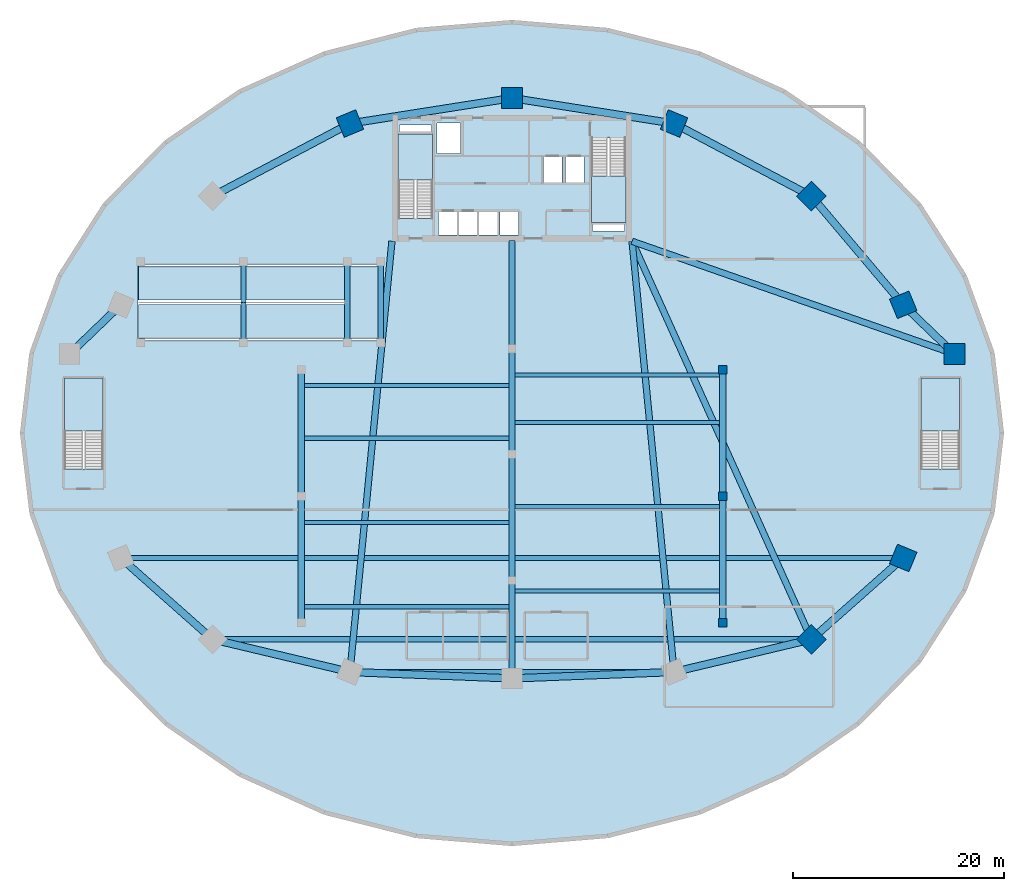
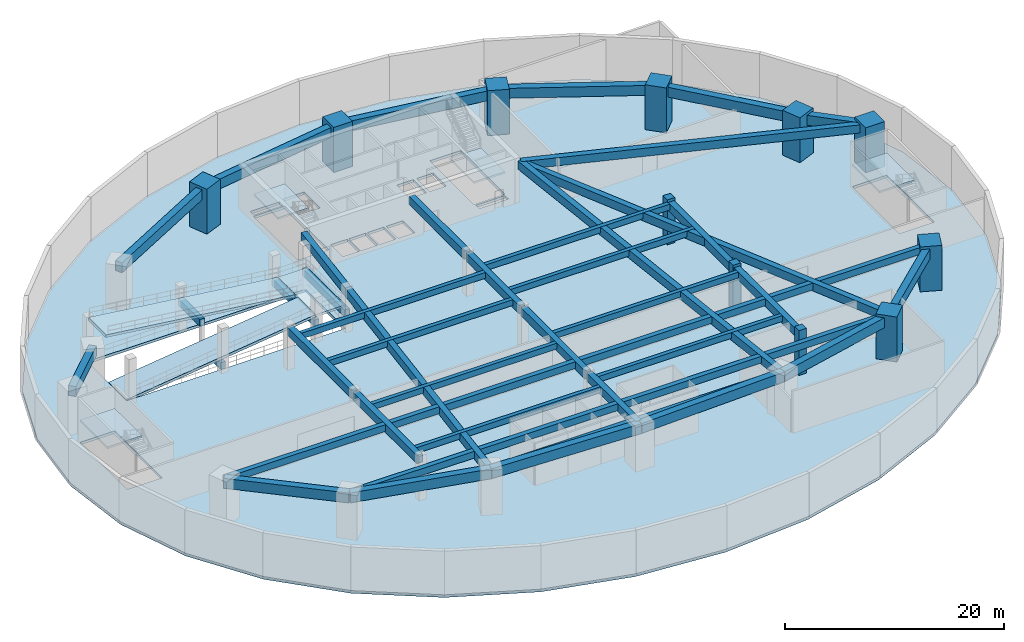
# One storey, part 3 of 10: 40 beams, 11 columns, 8 slabs, 4 elements without a shape of their own.
"""IFC4 building model written with IfcOpenShell, lengths in metres."""

from ifc_helpers import new_model, si_unit, direction, frame, origin, origin_2d, place, context, subcontext, project, spatial, polyline, rectangle, outline, extrude, source, transform, mapped, material, layer, layer_set, material_profile, profile_set, type_object, type_shapes, element, aggregate, save


model = new_model("IFC4")

# Units and contexts
model_context = context("Model", 3, precision=1e-05, world=origin(), true_north=direction((0.0, 1.0)))
body_context = subcontext(model_context, "Body", "Model", "MODEL_VIEW")
ifc_project = project(units=[si_unit("LENGTHUNIT", "METRE"), si_unit("AREAUNIT", "SQUARE_METRE"), si_unit("VOLUMEUNIT", "CUBIC_METRE"), si_unit("PLANEANGLEUNIT", "RADIAN"), si_unit("MASSUNIT", "GRAM", prefix="KILO")], contexts=[model_context])

# Site, building, storey
site_placement = place(None, origin())
site = spatial("IfcSite", under=ifc_project, at=site_placement, CompositionType="ELEMENT")
building_placement = place(site_placement, origin())
building = spatial("IfcBuilding", under=site, at=building_placement, Name="Breltana Convention Tower", CompositionType="ELEMENT")
storey_placement = place(building_placement, frame((0.0, 0.0, -5.0)))
storey = spatial("IfcBuildingStorey", under=building, at=storey_placement, Name="B01", CompositionType="ELEMENT", Elevation=-5.0)

# Columns
ifc_material_1 = material(Name="Concrete C60/75", Category="concrete")
ifc_material_profile_1 = material_profile(ifc_material_1, rectangle(XDim=2.0, YDim=2.0, at=origin_2d()), Name="RC-COL-2000X2000")
ifc_profile_set_1 = profile_set([ifc_material_profile_1], Name="Concrete C60/75")
column_type_1 = type_object("IfcColumnType", Name="COL-MC-2000", PredefinedType="COLUMN", material=ifc_profile_set_1)
shared_shape_1 = source(origin(), body_context, "Body", "SweptSolid", [
    extrude(rectangle(XDim=2.0, YDim=2.0, at=origin_2d()), origin(), (0.0, 0.0, 1.0), 5.0),
])
type_shapes(column_type_1, [shared_shape_1])
for number, where, z_axis, x_axis, name in (
    (1, (90.0, 49.5, 0.0), (0.0, 0.0, 1.0), (1.0, 0.0, 0.0), "B01 Podium Mega-Column MC-01"),
    (2, (85.139892578125, 54.169189453125, 0.0), (0.0, 0.0, 1.0), (0.923879532511, 0.382683432365, 0.0), "B01 Podium Mega-Column MC-02"),
    (3, (76.42578125, 64.486083984375, 0.0), (0.0, 0.0, 1.0), (0.707106781187, 0.707106781187, 0.0), "B01 Podium Mega-Column MC-03"),
    (4, (63.3837890625, 71.37939453125, 0.0), (0.0, 0.0, 1.0), (0.382683432365, 0.923879532511, 0.0), "B01 Podium Mega-Column MC-04"),
    (5, (48.0, 73.800048828125, 0.0), (0.0, 0.0, 1.0), (0.0, 1.0, 0.0), "B01 Podium Mega-Column MC-05"),
    (6, (32.6162109375, 71.37939453125, 0.0), (0.0, 0.0, 1.0), (-0.382683432365, 0.923879532511, 0.0), "B01 Podium Mega-Column MC-06"),
    (7, (76.42578125, 22.412109375, 0.0), (0.0, 0.0, 1.0), (0.707106781187, -0.707106781187, 0.0), "B01 Podium Mega-Column MC-15"),
    (8, (85.139892578125, 30.136962890625, 0.0), (0.0, 0.0, 1.0), (0.923879532511, -0.382683432365, 0.0), "B01 Podium Mega-Column MC-16"),
):
    element("IfcColumn", number, at=place(storey_placement, frame(where, z_axis=z_axis, x_axis=x_axis)), inside=storey, type_object=column_type_1, Name=name, PredefinedType="COLUMN", context=body_context, shape_type="MappedRepresentation", body=[
        mapped(shared_shape_1, transform((0.0, 0.0, 0.0), scale=1.0)),
    ])
ifc_material_2 = material(Name="Concrete C50/60", Category="concrete")
ifc_material_profile_2 = material_profile(ifc_material_2, rectangle(XDim=0.800048828125, YDim=0.800048828125, at=origin_2d()), Name="RC-COL-800X800")
ifc_profile_set_2 = profile_set([ifc_material_profile_2], Name="Concrete C50/60")
column_type_2 = type_object("IfcColumnType", Name="COL-RC-800", PredefinedType="COLUMN", material=ifc_profile_set_2)
shared_shape_2 = source(origin(), body_context, "Body", "SweptSolid", [
    extrude(rectangle(XDim=0.800048828125, YDim=0.800048828125, at=origin_2d()), origin(), (0.0, 0.0, 1.0), 5.0),
])
type_shapes(column_type_2, [shared_shape_2])
for number, where, z_axis, x_axis, name in (
    (9, (68.0, 24.0, 0.0), (0.0, 0.0, 1.0), (1.0, 0.0, 0.0), "B01 Basement Parking Grid Column BG-E1"),
    (10, (68.0, 36.0, 0.0), (0.0, 0.0, 1.0), (1.0, 0.0, 0.0), "B01 Basement Parking Grid Column BG-E2"),
    (11, (68.0, 48.0, 0.0), (0.0, 0.0, 1.0), (1.0, 0.0, 0.0), "B01 Basement Parking Grid Column BG-E3"),
):
    element("IfcColumn", number, at=place(storey_placement, frame(where, z_axis=z_axis, x_axis=x_axis)), inside=storey, type_object=column_type_2, Name=name, PredefinedType="COLUMN", context=body_context, shape_type="MappedRepresentation", body=[
        mapped(shared_shape_2, transform((0.0, 0.0, 0.0), scale=1.0)),
    ])

# Beams
ifc_material_3 = material(Name="Concrete C40/50", Category="concrete")
ifc_material_profile_3 = material_profile(ifc_material_3, rectangle(XDim=0.699951171875, YDim=1.10009765625, at=origin_2d()), Name="RC-BM-700X1100")
ifc_profile_set_3 = profile_set([ifc_material_profile_3], Name="Concrete C40/50")
beam_type_1 = type_object("IfcBeamType", Name="BM-RC-700X1100", PredefinedType="USERDEFINED", material=ifc_profile_set_3)
shared_shape_3 = source(origin(), body_context, "Body", "SweptSolid", [
    extrude(rectangle(XDim=0.699951171875, YDim=1.10009765625, at=origin_2d()), origin(), (0.0, 0.0, 1.0), 6.739501953125),
])
type_shapes(beam_type_1, [shared_shape_3])
for number, where, z_axis, x_axis, name in (
    (12, (90.0, 49.5, 4.14990234375), (-0.721128840463, 0.692800978242, 0.0), (-0.692800978242, -0.721128840463, 0.0), "B01 Podium Ring Girder 01"),
    (13, (10.860107421875, 54.169189453125, 4.14990234375), (-0.721128840463, -0.692800978242, 0.0), (0.692800978242, -0.721128840463, 0.0), "B01 Podium Ring Girder 08"),
):
    element("IfcBeam", number, at=place(storey_placement, frame(where, z_axis=z_axis, x_axis=x_axis)), inside=storey, type_object=beam_type_1, Name=name, ObjectType="GIRDER", PredefinedType="USERDEFINED", context=body_context, shape_type="MappedRepresentation", body=[
        mapped(shared_shape_3, transform((0.0, 0.0, 0.0), scale=1.0)),
    ])
shared_shape_4 = source(origin(), body_context, "Body", "SweptSolid", [
    extrude(rectangle(XDim=0.699951171875, YDim=1.10009765625, at=origin_2d()), origin(), (0.0, 0.0, 1.0), 13.504638671875),
])
beam_1_placement = place(storey_placement, frame((85.139892578125, 54.169189453125, 4.14990234375), z_axis=(-0.645270162831, 0.763954460004, 0.0), x_axis=(-0.763954460004, -0.645270162831, 0.0)))
element("IfcBeam", 14, at=beam_1_placement, inside=storey, type_object=beam_type_1, Name="B01 Podium Ring Girder 02", ObjectType="GIRDER", PredefinedType="USERDEFINED", context=body_context, shape_type="MappedRepresentation", body=[
    mapped(shared_shape_4, transform((0.0, 0.0, 0.0), scale=1.0)),
])
shared_shape_5 = source(origin(), body_context, "Body", "SweptSolid", [
    extrude(rectangle(XDim=0.699951171875, YDim=1.10009765625, at=origin_2d()), origin(), (0.0, 0.0, 1.0), 14.751708984375),
])
for number, where, z_axis, x_axis, name in (
    (15, (76.42578125, 64.486083984375, 4.14990234375), (-0.884103731281, 0.467290693611, 0.0), (-0.467290693611, -0.884103731281, 0.0), "B01 Podium Ring Girder 03"),
    (16, (32.6162109375, 71.37939453125, 4.14990234375), (-0.884103731281, -0.467290693611, 0.0), (0.467290693611, -0.884103731281, 0.0), "B01 Podium Ring Girder 06"),
):
    element("IfcBeam", number, at=place(storey_placement, frame(where, z_axis=z_axis, x_axis=x_axis)), inside=storey, type_object=beam_type_1, Name=name, ObjectType="GIRDER", PredefinedType="USERDEFINED", context=body_context, shape_type="MappedRepresentation", body=[
        mapped(shared_shape_5, transform((0.0, 0.0, 0.0), scale=1.0)),
    ])
shared_shape_6 = source(origin(), body_context, "Body", "SweptSolid", [
    extrude(rectangle(XDim=0.699951171875, YDim=1.10009765625, at=origin_2d()), origin(), (0.0, 0.0, 1.0), 15.572998046875),
])
for number, where, z_axis, x_axis, name in (
    (17, (63.3837890625, 71.37939453125, 4.14990234375), (-0.987845575975, 0.155438470225, 0.0), (-0.155438470225, -0.987845575975, 0.0), "B01 Podium Ring Girder 04"),
    (18, (48.0, 73.800048828125, 4.14990234375), (-0.987845575975, -0.155438470225, 0.0), (0.155438470225, -0.987845575975, 0.0), "B01 Podium Ring Girder 05"),
):
    element("IfcBeam", number, at=place(storey_placement, frame(where, z_axis=z_axis, x_axis=x_axis)), inside=storey, type_object=beam_type_1, Name=name, ObjectType="GIRDER", PredefinedType="USERDEFINED", context=body_context, shape_type="MappedRepresentation", body=[
        mapped(shared_shape_6, transform((0.0, 0.0, 0.0), scale=1.0)),
    ])
shared_shape_7 = source(origin(), body_context, "Body", "SweptSolid", [
    extrude(rectangle(XDim=0.699951171875, YDim=1.10009765625, at=origin_2d()), origin(), (0.0, 0.0, 1.0), 11.64501953125),
])
for number, where, z_axis, x_axis, name in (
    (19, (10.860107421875, 30.136962890625, 4.14990234375), (0.748305074373, -0.663354743458, 0.0), (0.663354743458, 0.748305074373, 0.0), "B01 Podium Ring Girder 10"),
    (20, (76.42578125, 22.412109375, 4.14990234375), (0.748305074373, 0.663354743458, 0.0), (-0.663354743458, 0.748305074373, 0.0), "B01 Podium Ring Girder 15"),
):
    element("IfcBeam", number, at=place(storey_placement, frame(where, z_axis=z_axis, x_axis=x_axis)), inside=storey, type_object=beam_type_1, Name=name, ObjectType="GIRDER", PredefinedType="USERDEFINED", context=body_context, shape_type="MappedRepresentation", body=[
        mapped(shared_shape_7, transform((0.0, 0.0, 0.0), scale=1.0)),
    ])
shared_shape_8 = source(origin(), body_context, "Body", "SweptSolid", [
    extrude(rectangle(XDim=0.699951171875, YDim=1.10009765625, at=origin_2d()), origin(), (0.0, 0.0, 1.0), 13.4052734375),
])
for number, where, z_axis, x_axis, name in (
    (21, (19.57421875, 22.412109375, 4.14990234375), (0.972900712446, -0.231223276773, 0.0), (0.231223276773, 0.972900712446, 0.0), "B01 Podium Ring Girder 11"),
    (22, (63.3837890625, 19.3125, 4.14990234375), (0.972900712446, 0.231223276773, 0.0), (-0.231223276773, 0.972900712446, 0.0), "B01 Podium Ring Girder 14"),
):
    element("IfcBeam", number, at=place(storey_placement, frame(where, z_axis=z_axis, x_axis=x_axis)), inside=storey, type_object=beam_type_1, Name=name, ObjectType="GIRDER", PredefinedType="USERDEFINED", context=body_context, shape_type="MappedRepresentation", body=[
        mapped(shared_shape_8, transform((0.0, 0.0, 0.0), scale=1.0)),
    ])
shared_shape_9 = source(origin(), body_context, "Body", "SweptSolid", [
    extrude(rectangle(XDim=0.699951171875, YDim=1.10009765625, at=origin_2d()), origin(), (0.0, 0.0, 1.0), 15.39599609375),
])
for number, where, z_axis, x_axis, name in (
    (23, (32.6162109375, 19.3125, 4.14990234375), (0.99920821229, -0.039786285226, 0.0), (0.039786285226, 0.99920821229, 0.0), "B01 Podium Ring Girder 12"),
    (24, (48.0, 18.699951171875, 4.14990234375), (0.99920821229, 0.039786285226, 0.0), (-0.039786285226, 0.99920821229, 0.0), "B01 Podium Ring Girder 13"),
):
    element("IfcBeam", number, at=place(storey_placement, frame(where, z_axis=z_axis, x_axis=x_axis)), inside=storey, type_object=beam_type_1, Name=name, ObjectType="GIRDER", PredefinedType="USERDEFINED", context=body_context, shape_type="MappedRepresentation", body=[
        mapped(shared_shape_9, transform((0.0, 0.0, 0.0), scale=1.0)),
    ])
ifc_material_profile_4 = material_profile(ifc_material_3, rectangle(XDim=0.60009765625, YDim=0.89990234375, at=origin_2d()), Name="RC-BM-600X900")
ifc_profile_set_4 = profile_set([ifc_material_profile_4], Name="Concrete C40/50")
beam_type_2 = type_object("IfcBeamType", Name="BM-RC-600X900", PredefinedType="USERDEFINED", material=ifc_profile_set_4)
shared_shape_10 = source(origin(), body_context, "Body", "SweptSolid", [
    extrude(rectangle(XDim=0.60009765625, YDim=0.89990234375, at=origin_2d()), origin(), (0.0, 0.0, 1.0), 32.4169921875),
])
type_shapes(beam_type_2, [shared_shape_10])
beam_2_placement = place(storey_placement, frame((90.0, 49.5, 4.25), z_axis=(-0.943955299763, 0.330073313143, 0.0), x_axis=(-0.330073313143, -0.943955299763, 0.0)))
element("IfcBeam", 25, at=beam_2_placement, inside=storey, type_object=beam_type_2, Name="B01 Long-Span Convention Girder 01", ObjectType="GIRDER", PredefinedType="USERDEFINED", context=body_context, shape_type="MappedRepresentation", body=[
    mapped(shared_shape_10, transform((0.0, 0.0, 0.0), scale=1.0)),
])
shared_shape_11 = source(origin(), body_context, "Body", "SweptSolid", [
    extrude(rectangle(XDim=0.60009765625, YDim=0.89990234375, at=origin_2d()), origin(), (0.0, 0.0, 1.0), 41.0810546875),
])
for number, where, z_axis, x_axis, name in (
    (26, (32.6162109375, 19.3125, 4.25), (0.096976195785, 0.995286701132, 0.0), (-0.995286701132, 0.096976195785, 0.0), "B01 Long-Span Convention Girder 12"),
    (27, (63.3837890625, 19.3125, 4.25), (-0.096976195785, 0.995286701132, 0.0), (-0.995286701132, -0.096976195785, 0.0), "B01 Long-Span Convention Girder 14"),
):
    element("IfcBeam", number, at=place(storey_placement, frame(where, z_axis=z_axis, x_axis=x_axis)), inside=storey, type_object=beam_type_2, Name=name, ObjectType="GIRDER", PredefinedType="USERDEFINED", context=body_context, shape_type="MappedRepresentation", body=[
        mapped(shared_shape_11, transform((0.0, 0.0, 0.0), scale=1.0)),
    ])
shared_shape_12 = source(origin(), body_context, "Body", "SweptSolid", [
    extrude(rectangle(XDim=0.60009765625, YDim=0.89990234375, at=origin_2d()), origin(), (0.0, 0.0, 1.0), 41.4462890625),
])
beam_3_placement = place(storey_placement, frame((76.42578125, 22.412109375, 4.25), z_axis=(-0.410793011164, 0.911728633958, 0.0), x_axis=(-0.911728633958, -0.410793011164, 0.0)))
element("IfcBeam", 28, at=beam_3_placement, inside=storey, type_object=beam_type_2, Name="B01 Long-Span Convention Girder 15", ObjectType="GIRDER", PredefinedType="USERDEFINED", context=body_context, shape_type="MappedRepresentation", body=[
    mapped(shared_shape_12, transform((0.0, 0.0, 0.0), scale=1.0)),
])
ifc_material_profile_5 = material_profile(ifc_material_3, rectangle(XDim=0.5, YDim=0.75, at=origin_2d()), Name="RC-BM-500X750")
ifc_profile_set_5 = profile_set([ifc_material_profile_5], Name="Concrete C40/50")
beam_type_3 = type_object("IfcBeamType", Name="BM-RC-500X750", PredefinedType="BEAM", material=ifc_profile_set_5)
shared_shape_13 = source(origin(), body_context, "Body", "SweptSolid", [
    extrude(rectangle(XDim=0.5, YDim=0.75, at=origin_2d()), origin(), (0.0, 0.0, 1.0), 74.27978515625),
])
type_shapes(beam_type_3, [shared_shape_13])
beam_4_placement = place(storey_placement, frame((10.860107421875, 30.136962890625, 4.324951171875), z_axis=(1.0, 0.0, 0.0), x_axis=(0.0, 1.0, 0.0)))
element("IfcBeam", 29, at=beam_4_placement, inside=storey, type_object=beam_type_3, Name="B01 Long-Span Hall Secondary Beam 01", PredefinedType="BEAM", context=body_context, shape_type="MappedRepresentation", body=[
    mapped(shared_shape_13, transform((0.0, 0.0, 0.0), scale=1.0)),
])
shared_shape_14 = source(origin(), body_context, "Body", "SweptSolid", [
    extrude(rectangle(XDim=0.5, YDim=0.75, at=origin_2d()), origin(), (0.0, 0.0, 1.0), 56.8515625),
])
beam_5_placement = place(storey_placement, frame((19.57421875, 22.412109375, 4.324951171875), z_axis=(1.0, 0.0, 0.0), x_axis=(0.0, 1.0, 0.0)))
element("IfcBeam", 30, at=beam_5_placement, inside=storey, type_object=beam_type_3, Name="B01 Long-Span Hall Secondary Beam 02", PredefinedType="BEAM", context=body_context, shape_type="MappedRepresentation", body=[
    mapped(shared_shape_14, transform((0.0, 0.0, 0.0), scale=1.0)),
])
shared_shape_15 = source(origin(), body_context, "Body", "SweptSolid", [
    extrude(rectangle(XDim=0.5, YDim=0.75, at=origin_2d()), origin(), (0.0, 0.0, 1.0), 30.767578125),
])
beam_6_placement = place(storey_placement, frame((32.6162109375, 19.3125, 4.324951171875), z_axis=(1.0, 0.0, 0.0), x_axis=(0.0, 1.0, 0.0)))
element("IfcBeam", 31, at=beam_6_placement, inside=storey, type_object=beam_type_3, Name="B01 Long-Span Hall Secondary Beam 03", PredefinedType="BEAM", context=body_context, shape_type="MappedRepresentation", body=[
    mapped(shared_shape_15, transform((0.0, 0.0, 0.0), scale=1.0)),
])
shared_shape_16 = source(origin(), body_context, "Body", "SweptSolid", [
    extrude(rectangle(XDim=0.60009765625, YDim=0.89990234375, at=origin_2d()), origin(), (0.0, 0.0, 1.0), 11.60009765625),
])
for number, where, z_axis, x_axis, name in (
    (32, (28.0, 24.199951171875, 4.25), (0.0, 1.0, 0.0), (-1.0, 0.0, 0.0), "B01 Basement N-S Collector Girder W1"),
    (33, (28.0, 36.199951171875, 4.25), (0.0, 1.0, 0.0), (-1.0, 0.0, 0.0), "B01 Basement N-S Collector Girder W2"),
    (34, (48.0, 28.199951171875, 4.25), (0.0, 1.0, 0.0), (-1.0, 0.0, 0.0), "B01 Basement N-S Collector Girder C2"),
    (35, (68.0, 24.199951171875, 4.25), (0.0, 1.0, 0.0), (-1.0, 0.0, 0.0), "B01 Basement N-S Collector Girder E1"),
    (36, (68.0, 36.199951171875, 4.25), (0.0, 1.0, 0.0), (-1.0, 0.0, 0.0), "B01 Basement N-S Collector Girder E2"),
):
    element("IfcBeam", number, at=place(storey_placement, frame(where, z_axis=z_axis, x_axis=x_axis)), inside=storey, type_object=beam_type_2, Name=name, ObjectType="GIRDER", PredefinedType="USERDEFINED", context=body_context, shape_type="MappedRepresentation", body=[
        mapped(shared_shape_16, transform((0.0, 0.0, 0.0), scale=1.0)),
    ])
shared_shape_17 = source(origin(), body_context, "Body", "SweptSolid", [
    extrude(rectangle(XDim=0.60009765625, YDim=0.89990234375, at=origin_2d()), origin(), (0.0, 0.0, 1.0), 8.900146484375),
])
beam_7_placement = place(storey_placement, frame((48.0, 18.89990234375, 4.25), z_axis=(0.0, 1.0, 0.0), x_axis=(-1.0, 0.0, 0.0)))
element("IfcBeam", 37, at=beam_7_placement, inside=storey, type_object=beam_type_2, Name="B01 Basement N-S Collector Girder C1", ObjectType="GIRDER", PredefinedType="USERDEFINED", context=body_context, shape_type="MappedRepresentation", body=[
    mapped(shared_shape_17, transform((0.0, 0.0, 0.0), scale=1.0)),
])
shared_shape_18 = source(origin(), body_context, "Body", "SweptSolid", [
    extrude(rectangle(XDim=0.60009765625, YDim=0.89990234375, at=origin_2d()), origin(), (0.0, 0.0, 1.0), 9.60009765625),
])
beam_8_placement = place(storey_placement, frame((48.0, 40.199951171875, 4.25), z_axis=(0.0, 1.0, 0.0), x_axis=(-1.0, 0.0, 0.0)))
element("IfcBeam", 38, at=beam_8_placement, inside=storey, type_object=beam_type_2, Name="B01 Basement N-S Collector Girder C3", ObjectType="GIRDER", PredefinedType="USERDEFINED", context=body_context, shape_type="MappedRepresentation", body=[
    mapped(shared_shape_18, transform((0.0, 0.0, 0.0), scale=1.0)),
])
shared_shape_19 = source(origin(), body_context, "Body", "SweptSolid", [
    extrude(rectangle(XDim=0.60009765625, YDim=0.89990234375, at=origin_2d()), origin(), (0.0, 0.0, 1.0), 10.074951171875),
])
beam_9_placement = place(storey_placement, frame((48.0, 50.199951171875, 4.25), z_axis=(0.0, 1.0, 0.0), x_axis=(-1.0, 0.0, 0.0)))
element("IfcBeam", 39, at=beam_9_placement, inside=storey, type_object=beam_type_2, Name="B01 Basement N-S Collector Girder C4", ObjectType="GIRDER", PredefinedType="USERDEFINED", context=body_context, shape_type="MappedRepresentation", body=[
    mapped(shared_shape_19, transform((0.0, 0.0, 0.0), scale=1.0)),
])
ifc_material_profile_6 = material_profile(ifc_material_3, rectangle(XDim=0.39990234375, YDim=0.64990234375, at=origin_2d()), Name="RC-BM-400X650")
ifc_profile_set_6 = profile_set([ifc_material_profile_6], Name="Concrete C40/50")
beam_type_4 = type_object("IfcBeamType", Name="BM-RC-400X650", PredefinedType="BEAM", material=ifc_profile_set_6)
shared_shape_20 = source(origin(), body_context, "Body", "SweptSolid", [
    extrude(rectangle(XDim=0.39990234375, YDim=0.64990234375, at=origin_2d()), origin(), (0.0, 0.0, 1.0), 19.56005859375),
])
type_shapes(beam_type_4, [shared_shape_20])
for number, where, z_axis, x_axis, name in (
    (40, (28.219970703125, 25.5, 4.375), (1.0, 0.0, 0.0), (0.0, 1.0, 0.0), "B01 BM-RC-400X650 BM-B01-HJW-255"),
    (41, (28.219970703125, 33.5, 4.375), (1.0, 0.0, 0.0), (0.0, 1.0, 0.0), "B01 BM-RC-400X650 BM-B01-HJW-335"),
    (42, (28.219970703125, 41.5, 4.375), (1.0, 0.0, 0.0), (0.0, 1.0, 0.0), "B01 BM-RC-400X650 BM-B01-HJW-415"),
    (43, (28.219970703125, 46.5, 4.375), (1.0, 0.0, 0.0), (0.0, 1.0, 0.0), "B01 BM-RC-400X650 BM-B01-HJW-465"),
    (44, (48.219970703125, 27.0, 4.375), (1.0, 0.0, 0.0), (0.0, 1.0, 0.0), "B01 BM-RC-400X650 BM-B01-HJE-270"),
    (45, (48.219970703125, 35.0, 4.375), (1.0, 0.0, 0.0), (0.0, 1.0, 0.0), "B01 BM-RC-400X650 BM-B01-HJE-350"),
    (46, (48.219970703125, 43.0, 4.375), (1.0, 0.0, 0.0), (0.0, 1.0, 0.0), "B01 BM-RC-400X650 BM-B01-HJE-430"),
    (47, (48.219970703125, 47.5, 4.375), (1.0, 0.0, 0.0), (0.0, 1.0, 0.0), "B01 BM-RC-400X650 BM-B01-HJE-475"),
):
    element("IfcBeam", number, at=place(storey_placement, frame(where, z_axis=z_axis, x_axis=x_axis)), inside=storey, type_object=beam_type_4, Name=name, PredefinedType="BEAM", context=body_context, shape_type="MappedRepresentation", body=[
        mapped(shared_shape_20, transform((0.0, 0.0, 0.0), scale=1.0)),
    ])
shared_shape_21 = source(origin(), body_context, "Body", "SweptSolid", [
    extrude(rectangle(XDim=0.5, YDim=0.75, at=origin_2d()), origin(), (0.0, 0.0, 1.0), 7.699951171875),
])
for number, where, z_axis, x_axis, name in (
    (48, (32.35009765625, 50.550048828125, 1.864990234375), (0.0, 1.0, 0.0), (-1.0, 0.0, 0.0), "B01 BM-RC-500X750 BM-RMP-B01-THROAT"),
    (49, (35.550048828125, 50.550048828125, 1.864990234375), (0.0, 1.0, 0.0), (-1.0, 0.0, 0.0), "B01 BM-RC-500X750 BM-RMP-B01-EAST"),
):
    element("IfcBeam", number, at=place(storey_placement, frame(where, z_axis=z_axis, x_axis=x_axis)), inside=storey, type_object=beam_type_3, Name=name, PredefinedType="BEAM", context=body_context, shape_type="MappedRepresentation", body=[
        mapped(shared_shape_21, transform((0.0, 0.0, 0.0), scale=1.0)),
    ])
shared_shape_22 = source(origin(), body_context, "Body", "SweptSolid", [
    extrude(rectangle(XDim=0.5, YDim=0.75, at=origin_2d()), origin(), (0.0, 0.0, 1.0), 3.85009765625),
])
beam_10_placement = place(storey_placement, frame((22.5, 54.39990234375, 3.074951171875), z_axis=(0.0, 1.0, 0.0), x_axis=(-1.0, 0.0, 0.0)))
element("IfcBeam", 50, at=beam_10_placement, inside=storey, type_object=beam_type_3, Name="B01 BM-RC-500X750 BM-RMP-B01-MID-HI", PredefinedType="BEAM", context=body_context, shape_type="MappedRepresentation", body=[
    mapped(shared_shape_22, transform((0.0, 0.0, 0.0), scale=1.0)),
])
shared_shape_23 = source(origin(), body_context, "Body", "SweptSolid", [
    extrude(rectangle(XDim=0.5, YDim=0.75, at=origin_2d()), origin(), (0.0, 0.0, 1.0), 3.849853515625),
])
beam_11_placement = place(storey_placement, frame((22.5, 50.550048828125, 0.574951171875), z_axis=(0.0, 1.0, 0.0), x_axis=(-1.0, 0.0, 0.0)))
element("IfcBeam", 51, at=beam_11_placement, inside=storey, type_object=beam_type_3, Name="B01 BM-RC-500X750 BM-RMP-B01-MID-LO", PredefinedType="BEAM", context=body_context, shape_type="MappedRepresentation", body=[
    mapped(shared_shape_23, transform((0.0, 0.0, 0.0), scale=1.0)),
])

# Slabs
ifc_layer_1 = layer(ifc_material_3, 0.300048828125, Name="Concrete C40/50")
ifc_layer_set_1 = layer_set([ifc_layer_1], Name="Concrete C40/50")
slab_type_1 = type_object("IfcSlabType", Name="SL-POD-300", PredefinedType="FLOOR", material=ifc_layer_set_1)
slab_1_placement = place(storey_placement, frame((0.0, 0.0, -0.300048828125)))
element("IfcSlab", 52, at=slab_1_placement, inside=storey, type_object=slab_type_1, Name="B01 Suspended Structural Floor Slab", PredefinedType="FLOOR", context=body_context, shape_type="SweptSolid", body=[
    extrude(outline(polyline([(94.5, 42.0), (93.6064453125, 49.6083984375), (90.96044921875, 56.9248046875), (86.663330078125, 63.667236328125), (80.880615234375, 69.5771484375), (73.833984375, 74.42724609375), (65.794921875, 78.03125), (57.07177734375, 80.25048828125), (48.0, 81.0), (38.92822265625, 80.25048828125), (30.205078125, 78.03125), (22.166015625, 74.42724609375), (15.119384765625, 69.5771484375), (9.336669921875, 63.667236328125), (5.03955078125, 56.9248046875), (2.3935546875, 49.6083984375), (1.5, 42.0), (2.3935546875, 34.3916015625), (5.03955078125, 27.0751953125), (9.336669921875, 20.332763671875), (15.119384765625, 14.4228515625), (22.166015625, 9.57275390625), (30.205078125, 5.96875), (38.92822265625, 3.74951171875), (48.0, 3.0), (57.07177734375, 3.74951171875), (65.794921875, 5.96875), (73.833984375, 9.57275390625), (80.880615234375, 14.4228515625), (86.663330078125, 20.332763671875), (90.96044921875, 27.0751953125), (93.6064453125, 34.3916015625), (94.5, 42.0)]), holes=[polyline([(37.199951171875, 62.385009765625), (40.469970703125, 62.385009765625), (40.469970703125, 70.39990234375), (37.199951171875, 70.39990234375), (37.199951171875, 62.385009765625)]), polyline([(55.530029296875, 62.0), (58.800048828125, 62.0), (58.800048828125, 70.014892578125), (55.530029296875, 70.014892578125), (55.530029296875, 62.0)]), polyline([(5.5, 38.5849609375), (9.169921875, 38.5849609375), (9.169921875, 47.199951171875), (5.5, 47.199951171875), (5.5, 38.5849609375)]), polyline([(86.830078125, 38.5849609375), (90.5, 38.5849609375), (90.5, 47.199951171875), (86.830078125, 47.199951171875), (86.830078125, 38.5849609375)]), polyline([(41.0400390625, 60.800048828125), (42.800048828125, 60.800048828125), (42.800048828125, 62.97998046875), (41.0400390625, 62.97998046875), (41.0400390625, 60.800048828125)]), polyline([(42.93994140625, 60.800048828125), (44.699951171875, 60.800048828125), (44.699951171875, 62.97998046875), (42.93994140625, 62.97998046875), (42.93994140625, 60.800048828125)]), polyline([(44.8701171875, 60.800048828125), (46.6298828125, 60.800048828125), (46.6298828125, 62.97998046875), (44.8701171875, 62.97998046875), (44.8701171875, 60.800048828125)]), polyline([(46.8701171875, 60.800048828125), (48.6298828125, 60.800048828125), (48.6298828125, 62.97998046875), (46.8701171875, 62.97998046875), (46.8701171875, 60.800048828125)]), polyline([(50.969970703125, 65.800048828125), (52.72998046875, 65.800048828125), (52.72998046875, 68.179931640625), (50.969970703125, 68.179931640625), (50.969970703125, 65.800048828125)]), polyline([(53.070068359375, 65.800048828125), (54.830078125, 65.800048828125), (54.830078125, 68.179931640625), (53.070068359375, 68.179931640625), (53.070068359375, 65.800048828125)]), polyline([(40.8798828125, 68.550048828125), (43.1201171875, 68.550048828125), (43.1201171875, 71.449951171875), (40.8798828125, 71.449951171875), (40.8798828125, 68.550048828125)]), polyline([(37.300048828125, 70.60009765625), (40.3798828125, 70.60009765625), (40.3798828125, 71.219970703125), (37.300048828125, 71.219970703125), (37.300048828125, 70.60009765625)]), polyline([(55.6201171875, 61.179931640625), (58.699951171875, 61.179931640625), (58.699951171875, 61.800048828125), (55.6201171875, 61.800048828125), (55.6201171875, 61.179931640625)]), polyline([(12.5, 50.800048828125), (35.5, 50.800048828125), (35.5, 58.0), (12.5, 58.0), (12.5, 50.800048828125)])]), origin(), (0.0, 0.0, 1.0), 0.300048828125),
])
ifc_layer_2 = layer(ifc_material_3, 0.300048828125, Name="Concrete C40/50")
ifc_layer_set_2 = layer_set([ifc_layer_2], Name="Concrete C40/50")
slab_type_2 = type_object("IfcSlabType", Name="SL-RAMP-FLIGHT-300", PredefinedType="USERDEFINED", material=ifc_layer_set_2)
slab_2_placement = place(storey_placement, frame((12.530029296875, 54.6201171875, 5.0), z_axis=(0.124402550918, 0.0, 0.992231830433), x_axis=(0.992231830433, 0.0, -0.124402550918)))
element("IfcSlab", 53, at=slab_2_placement, inside=storey, type_object=slab_type_2, Name="B01 Vehicular Ramp Upper Structural Slab RF-1A", ObjectType="RAMP", PredefinedType="USERDEFINED", context=body_context, shape_type="SweptSolid", body=[
    extrude(outline(polyline([(0.0, 0.0), (20.096050937551965, 0.0), (20.096050937551965, 3.22998046875), (0.0, 3.22998046875), (0.0, 0.0)])), origin(), (0.0, 0.0, -1.0), 0.300048828125),
])
slab_3_placement = place(storey_placement, frame((32.469970703125, 50.949951171875, 2.5), z_axis=(-0.124402550918, 0.0, 0.992231830433), x_axis=(-0.992231830433, 0.0, -0.124402550918)))
element("IfcSlab", 54, at=slab_3_placement, inside=storey, type_object=slab_type_2, Name="B01 Vehicular Ramp Lower Structural Slab RF-1B", ObjectType="RAMP", PredefinedType="USERDEFINED", context=body_context, shape_type="SweptSolid", body=[
    extrude(outline(polyline([(0.0, 0.0), (20.096050937551965, 0.0), (20.096050937551965, -3.22998046875), (0.0, -3.22998046875), (0.0, 0.0)])), origin(), (0.0, 0.0, -1.0), 0.300048828125),
])
ifc_layer_3 = layer(ifc_material_3, 0.260009765625, Name="Concrete C40/50")
ifc_layer_set_3 = layer_set([ifc_layer_3], Name="Concrete C40/50")
slab_type_3 = type_object("IfcSlabType", Name="SL-RAMP-LANDING-260", PredefinedType="LANDING", material=ifc_layer_set_3)
slab_4_placement = place(storey_placement, frame((0.0, 0.0, 2.239990234375)))
element("IfcSlab", 55, at=slab_4_placement, inside=storey, type_object=slab_type_3, Name="B01 Vehicular Ramp Structural Landing Slab RL-1", PredefinedType="LANDING", context=body_context, shape_type="SweptSolid", body=[
    extrude(outline(polyline([(32.5, 50.949951171875), (35.5, 50.949951171875), (35.5, 57.85009765625), (32.5, 57.85009765625), (32.5, 50.949951171875)])), origin(), (0.0, 0.0, 1.0), 0.260009765625),
])

# Stair, slab
stair_type_1 = type_object("IfcStairType", Name="ST-DOG-1560-R179", PredefinedType="HALF_TURN_STAIR", material=ifc_material_3)
stair_1_placement = place(storey_placement, origin())
stair_1 = element("IfcStair", 56, at=stair_1_placement, inside=storey, type_object=stair_type_1, Name="B01 Protected Core Exit Stair ST-1", PredefinedType="HALF_TURN_STAIR")
ifc_layer_4 = layer(ifc_material_3, 0.199951171875, Name="Concrete C40/50")
ifc_layer_set_4 = layer_set([ifc_layer_4], Name="Concrete C40/50")
slab_type_4 = type_object("IfcSlabType", Name="SL-STAIR-LANDING-200", PredefinedType="LANDING", material=ifc_layer_set_4)
slab_5_placement = place(storey_placement, frame((0.0, 0.0, 2.300048828125)))
slab_5 = element("IfcSlab", 57, at=slab_5_placement, type_object=slab_type_4, Name="ST-1 landing 1", PredefinedType="LANDING", context=body_context, shape_type="SweptSolid", body=[
    extrude(outline(polyline([(40.469970703125, 66.0), (40.469970703125, 70.39990234375), (37.199951171875, 70.39990234375), (37.199951171875, 66.0), (40.469970703125, 66.0)])), origin(), (0.0, 0.0, 1.0), 0.199951171875),
])
aggregate(stair_1, [slab_5])

stair_2_placement = place(storey_placement, origin())
stair_2 = element("IfcStair", 58, at=stair_2_placement, inside=storey, type_object=stair_type_1, Name="B01 Protected Core Exit Stair ST-2", PredefinedType="HALF_TURN_STAIR")
slab_6_placement = place(storey_placement, frame((0.0, 0.0, 2.300048828125)))
slab_6 = element("IfcSlab", 59, at=slab_6_placement, type_object=slab_type_4, Name="ST-2 landing 1", PredefinedType="LANDING", context=body_context, shape_type="SweptSolid", body=[
    extrude(outline(polyline([(55.530029296875, 66.39990234375), (55.530029296875, 62.0), (58.800048828125, 62.0), (58.800048828125, 66.39990234375), (55.530029296875, 66.39990234375)])), origin(), (0.0, 0.0, 1.0), 0.199951171875),
])
aggregate(stair_2, [slab_6])

stair_type_2 = type_object("IfcStairType", Name="ST-DOG-1760-R179", PredefinedType="HALF_TURN_STAIR", material=ifc_material_3)
stair_3_placement = place(storey_placement, origin())
stair_3 = element("IfcStair", 60, at=stair_3_placement, inside=storey, type_object=stair_type_2, Name="B01 Protected Podium Exit Stair ST-3", PredefinedType="HALF_TURN_STAIR")
slab_7_placement = place(storey_placement, frame((0.0, 0.0, 2.300048828125)))
slab_7 = element("IfcSlab", 61, at=slab_7_placement, type_object=slab_type_4, Name="ST-3 landing 1", PredefinedType="LANDING", context=body_context, shape_type="SweptSolid", body=[
    extrude(outline(polyline([(9.169921875, 42.199951171875), (9.169921875, 47.199951171875), (5.5, 47.199951171875), (5.5, 42.199951171875), (9.169921875, 42.199951171875)])), origin(), (0.0, 0.0, 1.0), 0.199951171875),
])
aggregate(stair_3, [slab_7])

stair_4_placement = place(storey_placement, origin())
stair_4 = element("IfcStair", 62, at=stair_4_placement, inside=storey, type_object=stair_type_2, Name="B01 Protected Podium Exit Stair ST-4", PredefinedType="HALF_TURN_STAIR")
slab_8_placement = place(storey_placement, frame((0.0, 0.0, 2.300048828125)))
slab_8 = element("IfcSlab", 63, at=slab_8_placement, type_object=slab_type_4, Name="ST-4 landing 1", PredefinedType="LANDING", context=body_context, shape_type="SweptSolid", body=[
    extrude(outline(polyline([(90.5, 42.199951171875), (90.5, 47.199951171875), (86.830078125, 47.199951171875), (86.830078125, 42.199951171875), (90.5, 42.199951171875)])), origin(), (0.0, 0.0, 1.0), 0.199951171875),
])
aggregate(stair_4, [slab_8])

save(model, "model.ifc")
